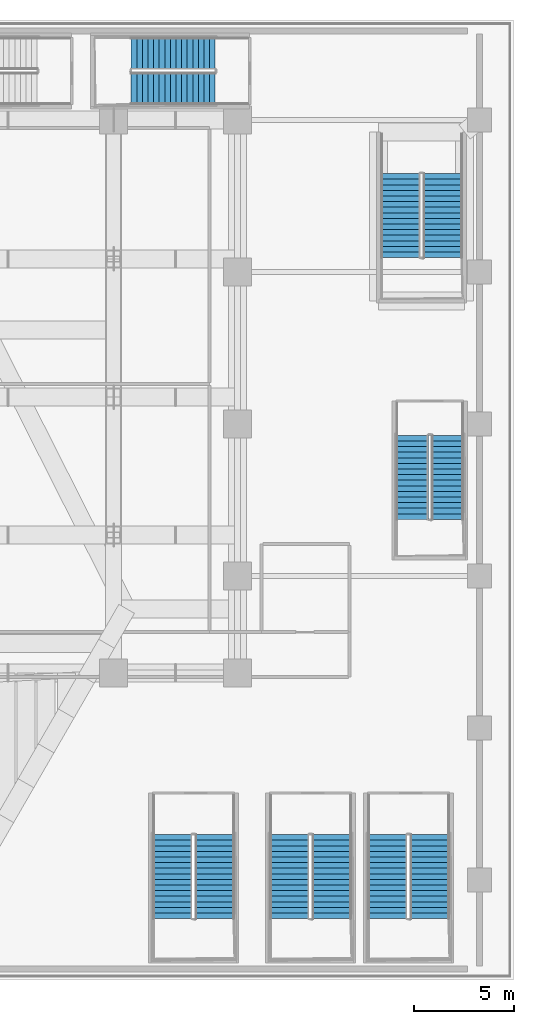
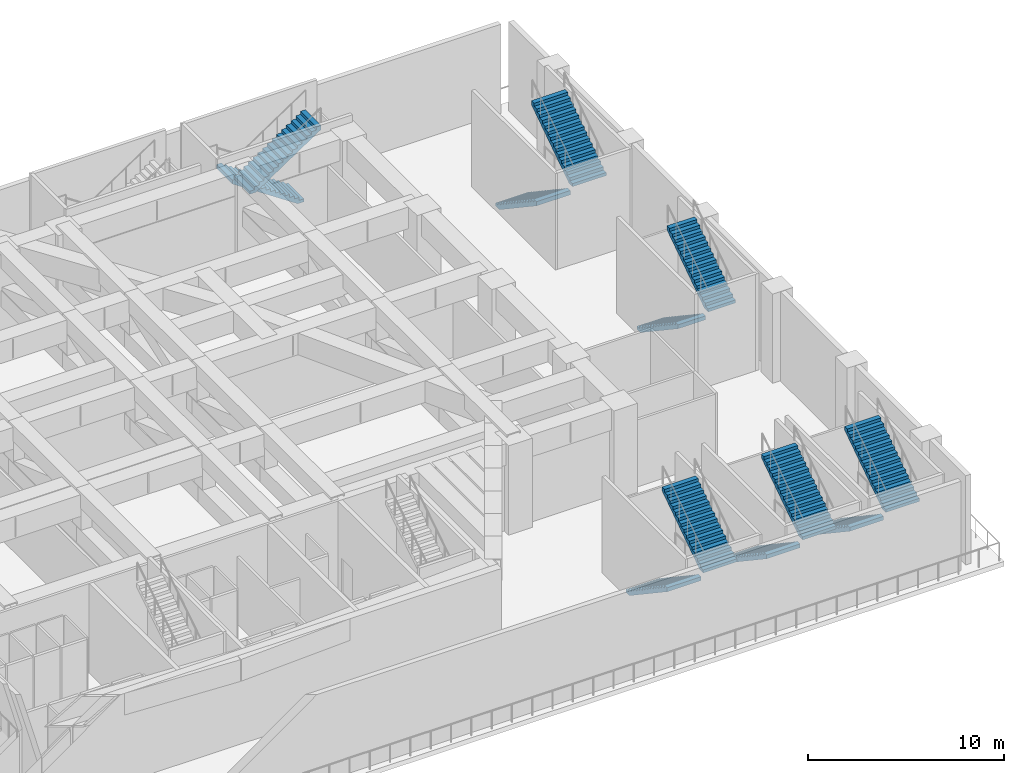
# One storey, part 14 of 27: 12 stair flights, 6 elements without a shape of their own.
"""IFC4 building model written with IfcOpenShell, lengths in metres."""

from ifc_helpers import new_model, si_unit, direction, frame, origin, place, context, subcontext, project, spatial, polyline, outline, extrude, material, type_object, element, aggregate, save


model = new_model("IFC4")

# Units and contexts
model_context = context("Model", 3, precision=1e-05, world=origin(), true_north=direction((0.0, 1.0)))
body_context = subcontext(model_context, "Body", "Model", "MODEL_VIEW")
ifc_project = project(units=[si_unit("LENGTHUNIT", "METRE"), si_unit("AREAUNIT", "SQUARE_METRE"), si_unit("VOLUMEUNIT", "CUBIC_METRE"), si_unit("PLANEANGLEUNIT", "RADIAN"), si_unit("MASSUNIT", "GRAM", prefix="KILO")], contexts=[model_context])

# Site, building, storey
site_placement = place(None, origin())
site = spatial("IfcSite", under=ifc_project, at=site_placement, CompositionType="ELEMENT")
building_placement = place(site_placement, origin())
building = spatial("IfcBuilding", under=site, at=building_placement, Name="Ndaravel Arena Tower", CompositionType="ELEMENT")
storey_placement = place(building_placement, frame((0.0, 0.0, 24.0)))
storey = spatial("IfcBuildingStorey", under=building, at=storey_placement, Name="L04", CompositionType="ELEMENT", Elevation=24.0)

# Stair, stair flights
ifc_material_1 = material(Name="Concrete C40/50", Category="concrete")
stair_type_1 = type_object("IfcStairType", Name="STAIR-ARENA-HT", PredefinedType="HALF_TURN_STAIR", material=ifc_material_1)
stair_1_placement = place(storey_placement, origin())
stair_1 = element("IfcStair", 1, at=stair_1_placement, inside=storey, type_object=stair_type_1, Name="L04 ST-A04", PredefinedType="HALF_TURN_STAIR")
ifc_material_2 = material(Name="Concrete C40/50", Category="concrete")
stair_flight_type_1 = type_object("IfcStairFlightType", Name="SFLIGHT-ARENA-1980", PredefinedType="STRAIGHT", material=ifc_material_2)
stair_flight_1_placement = place(storey_placement, frame((66.93994140625, 7.27001953125, 0.0), z_axis=(0.0, 0.0, 1.0), x_axis=(0.0, -1.0, 0.0)))
stair_flight_1 = element("IfcStairFlight", 2, at=stair_flight_1_placement, type_object=stair_flight_type_1, Name="ST-A04 flight 1", NumberOfRisers=16, NumberOfTreads=15, PredefinedType="STRAIGHT", RiserHeight=0.1875, TreadLength=0.28, context=body_context, shape_type="SweptSolid", body=[
    extrude(outline(polyline([(0.0, 0.0), (0.0, 0.1875), (0.280029296875, 0.1875), (0.280029296875, 0.375), (0.56005859375, 0.375), (0.56005859375, 0.5625), (0.840087890625, 0.5625), (0.840087890625, 0.75), (1.1201171875, 0.75), (1.1201171875, 0.9375), (1.39990234375, 0.9375), (1.39990234375, 1.125), (1.679931640625, 1.125), (1.679931640625, 1.3125), (1.9599609375, 1.3125), (1.9599609375, 1.5), (2.239990234375, 1.5), (2.239990234375, 1.6875), (2.52001953125, 1.6875), (2.52001953125, 1.875), (2.800048828125, 1.875), (2.800048828125, 2.0625), (3.080078125, 2.0625), (3.080078125, 2.25), (3.360107421875, 2.25), (3.360107421875, 2.4375), (3.639892578125, 2.4375), (3.639892578125, 2.625), (3.919921875, 2.625), (3.919921875, 2.8125), (4.199951171875, 2.8125), (4.199951171875, 3.0), (4.199951171875, 2.57177734375), (0.359375, 0.0), (0.0, 0.0)])), frame((0.0, 0.989990234375, 0.0), z_axis=(0.0, -1.0, 0.0), x_axis=(1.0, 0.0, 0.0)), (0.0, 0.0, 1.0), 1.97998046875),
])
stair_flight_2_placement = place(storey_placement, frame((69.06005859375, 3.070068359375, 3.0), z_axis=(0.0, 0.0, 1.0), x_axis=(0.0, 1.0, 0.0)))
stair_flight_2 = element("IfcStairFlight", 3, at=stair_flight_2_placement, type_object=stair_flight_type_1, Name="ST-A04 flight 2", NumberOfRisers=16, NumberOfTreads=15, PredefinedType="STRAIGHT", RiserHeight=0.1875, TreadLength=0.28, context=body_context, shape_type="SweptSolid", body=[
    extrude(outline(polyline([(0.0, 0.0), (0.0, 0.1875), (0.280029296875, 0.1875), (0.280029296875, 0.375), (0.56005859375, 0.375), (0.56005859375, 0.5625), (0.840087890625, 0.5625), (0.840087890625, 0.75), (1.1201171875, 0.75), (1.1201171875, 0.9375), (1.39990234375, 0.9375), (1.39990234375, 1.125), (1.679931640625, 1.125), (1.679931640625, 1.3125), (1.9599609375, 1.3125), (1.9599609375, 1.5), (2.239990234375, 1.5), (2.239990234375, 1.6875), (2.52001953125, 1.6875), (2.52001953125, 1.875), (2.800048828125, 1.875), (2.800048828125, 2.0625), (3.080078125, 2.0625), (3.080078125, 2.25), (3.360107421875, 2.25), (3.360107421875, 2.4375), (3.639892578125, 2.4375), (3.639892578125, 2.625), (3.919921875, 2.625), (3.919921875, 2.8125), (4.199951171875, 2.8125), (4.199951171875, 3.0), (4.199951171875, 2.57177734375), (0.359375, 0.0), (0.0, 0.0)])), frame((0.0, 0.989990234375, 0.0), z_axis=(0.0, -1.0, 0.0), x_axis=(1.0, 0.0, 0.0)), (0.0, 0.0, 1.0), 1.97998046875),
])
aggregate(stair_1, [stair_flight_1, stair_flight_2])

stair_2_placement = place(storey_placement, origin())
stair_2 = element("IfcStair", 4, at=stair_2_placement, inside=storey, type_object=stair_type_1, Name="L04 ST-A05", PredefinedType="HALF_TURN_STAIR")
stair_flight_3_placement = place(storey_placement, frame((72.7900390625, 7.27001953125, 0.0), z_axis=(0.0, 0.0, 1.0), x_axis=(0.0, -1.0, 0.0)))
stair_flight_3 = element("IfcStairFlight", 5, at=stair_flight_3_placement, type_object=stair_flight_type_1, Name="ST-A05 flight 1", NumberOfRisers=16, NumberOfTreads=15, PredefinedType="STRAIGHT", RiserHeight=0.1875, TreadLength=0.28, context=body_context, shape_type="SweptSolid", body=[
    extrude(outline(polyline([(0.0, 0.0), (0.0, 0.1875), (0.280029296875, 0.1875), (0.280029296875, 0.375), (0.56005859375, 0.375), (0.56005859375, 0.5625), (0.840087890625, 0.5625), (0.840087890625, 0.75), (1.1201171875, 0.75), (1.1201171875, 0.9375), (1.39990234375, 0.9375), (1.39990234375, 1.125), (1.679931640625, 1.125), (1.679931640625, 1.3125), (1.9599609375, 1.3125), (1.9599609375, 1.5), (2.239990234375, 1.5), (2.239990234375, 1.6875), (2.52001953125, 1.6875), (2.52001953125, 1.875), (2.800048828125, 1.875), (2.800048828125, 2.0625), (3.080078125, 2.0625), (3.080078125, 2.25), (3.360107421875, 2.25), (3.360107421875, 2.4375), (3.639892578125, 2.4375), (3.639892578125, 2.625), (3.919921875, 2.625), (3.919921875, 2.8125), (4.199951171875, 2.8125), (4.199951171875, 3.0), (4.199951171875, 2.57177734375), (0.359375, 0.0), (0.0, 0.0)])), frame((0.0, 0.989990234375, 0.0), z_axis=(0.0, -1.0, 0.0), x_axis=(1.0, 0.0, 0.0)), (0.0, 0.0, 1.0), 1.97998046875),
])
stair_flight_4_placement = place(storey_placement, frame((74.909912109375, 3.070068359375, 3.0), z_axis=(0.0, 0.0, 1.0), x_axis=(0.0, 1.0, 0.0)))
stair_flight_4 = element("IfcStairFlight", 6, at=stair_flight_4_placement, type_object=stair_flight_type_1, Name="ST-A05 flight 2", NumberOfRisers=16, NumberOfTreads=15, PredefinedType="STRAIGHT", RiserHeight=0.1875, TreadLength=0.28, context=body_context, shape_type="SweptSolid", body=[
    extrude(outline(polyline([(0.0, 0.0), (0.0, 0.1875), (0.280029296875, 0.1875), (0.280029296875, 0.375), (0.56005859375, 0.375), (0.56005859375, 0.5625), (0.840087890625, 0.5625), (0.840087890625, 0.75), (1.1201171875, 0.75), (1.1201171875, 0.9375), (1.39990234375, 0.9375), (1.39990234375, 1.125), (1.679931640625, 1.125), (1.679931640625, 1.3125), (1.9599609375, 1.3125), (1.9599609375, 1.5), (2.239990234375, 1.5), (2.239990234375, 1.6875), (2.52001953125, 1.6875), (2.52001953125, 1.875), (2.800048828125, 1.875), (2.800048828125, 2.0625), (3.080078125, 2.0625), (3.080078125, 2.25), (3.360107421875, 2.25), (3.360107421875, 2.4375), (3.639892578125, 2.4375), (3.639892578125, 2.625), (3.919921875, 2.625), (3.919921875, 2.8125), (4.199951171875, 2.8125), (4.199951171875, 3.0), (4.199951171875, 2.57177734375), (0.359375, 0.0), (0.0, 0.0)])), frame((0.0, 0.989990234375, 0.0), z_axis=(0.0, -1.0, 0.0), x_axis=(1.0, 0.0, 0.0)), (0.0, 0.0, 1.0), 1.97998046875),
])
aggregate(stair_2, [stair_flight_3, stair_flight_4])

stair_3_placement = place(storey_placement, origin())
stair_3 = element("IfcStair", 7, at=stair_3_placement, inside=storey, type_object=stair_type_1, Name="L04 ST-A06", PredefinedType="HALF_TURN_STAIR")
stair_flight_5_placement = place(storey_placement, frame((77.68994140625, 7.27001953125, 0.0), z_axis=(0.0, 0.0, 1.0), x_axis=(0.0, -1.0, 0.0)))
stair_flight_5 = element("IfcStairFlight", 8, at=stair_flight_5_placement, type_object=stair_flight_type_1, Name="ST-A06 flight 1", NumberOfRisers=16, NumberOfTreads=15, PredefinedType="STRAIGHT", RiserHeight=0.1875, TreadLength=0.28, context=body_context, shape_type="SweptSolid", body=[
    extrude(outline(polyline([(0.0, 0.0), (0.0, 0.1875), (0.280029296875, 0.1875), (0.280029296875, 0.375), (0.56005859375, 0.375), (0.56005859375, 0.5625), (0.840087890625, 0.5625), (0.840087890625, 0.75), (1.1201171875, 0.75), (1.1201171875, 0.9375), (1.39990234375, 0.9375), (1.39990234375, 1.125), (1.679931640625, 1.125), (1.679931640625, 1.3125), (1.9599609375, 1.3125), (1.9599609375, 1.5), (2.239990234375, 1.5), (2.239990234375, 1.6875), (2.52001953125, 1.6875), (2.52001953125, 1.875), (2.800048828125, 1.875), (2.800048828125, 2.0625), (3.080078125, 2.0625), (3.080078125, 2.25), (3.360107421875, 2.25), (3.360107421875, 2.4375), (3.639892578125, 2.4375), (3.639892578125, 2.625), (3.919921875, 2.625), (3.919921875, 2.8125), (4.199951171875, 2.8125), (4.199951171875, 3.0), (4.199951171875, 2.57177734375), (0.359375, 0.0), (0.0, 0.0)])), frame((0.0, 0.989990234375, 0.0), z_axis=(0.0, -1.0, 0.0), x_axis=(1.0, 0.0, 0.0)), (0.0, 0.0, 1.0), 1.97998046875),
])
stair_flight_6_placement = place(storey_placement, frame((79.81005859375, 3.070068359375, 3.0), z_axis=(0.0, 0.0, 1.0), x_axis=(0.0, 1.0, 0.0)))
stair_flight_6 = element("IfcStairFlight", 9, at=stair_flight_6_placement, type_object=stair_flight_type_1, Name="ST-A06 flight 2", NumberOfRisers=16, NumberOfTreads=15, PredefinedType="STRAIGHT", RiserHeight=0.1875, TreadLength=0.28, context=body_context, shape_type="SweptSolid", body=[
    extrude(outline(polyline([(0.0, 0.0), (0.0, 0.1875), (0.280029296875, 0.1875), (0.280029296875, 0.375), (0.56005859375, 0.375), (0.56005859375, 0.5625), (0.840087890625, 0.5625), (0.840087890625, 0.75), (1.1201171875, 0.75), (1.1201171875, 0.9375), (1.39990234375, 0.9375), (1.39990234375, 1.125), (1.679931640625, 1.125), (1.679931640625, 1.3125), (1.9599609375, 1.3125), (1.9599609375, 1.5), (2.239990234375, 1.5), (2.239990234375, 1.6875), (2.52001953125, 1.6875), (2.52001953125, 1.875), (2.800048828125, 1.875), (2.800048828125, 2.0625), (3.080078125, 2.0625), (3.080078125, 2.25), (3.360107421875, 2.25), (3.360107421875, 2.4375), (3.639892578125, 2.4375), (3.639892578125, 2.625), (3.919921875, 2.625), (3.919921875, 2.8125), (4.199951171875, 2.8125), (4.199951171875, 3.0), (4.199951171875, 2.57177734375), (0.359375, 0.0), (0.0, 0.0)])), frame((0.0, 0.989990234375, 0.0), z_axis=(0.0, -1.0, 0.0), x_axis=(1.0, 0.0, 0.0)), (0.0, 0.0, 1.0), 1.97998046875),
])
aggregate(stair_3, [stair_flight_5, stair_flight_6])

ifc_material_3 = material(Name="Concrete C40/50", Category="concrete")
stair_type_2 = type_object("IfcStairType", Name="STAIR-POD-QT", PredefinedType="QUARTER_TURN_STAIR", material=ifc_material_3)
stair_4_placement = place(storey_placement, origin())
stair_4 = element("IfcStair", 10, at=stair_4_placement, inside=storey, type_object=stair_type_2, Name="L04 ST-A11", PredefinedType="QUARTER_TURN_STAIR")
stair_flight_7_placement = place(storey_placement, frame((69.080078125, 46.330078125, 0.0), z_axis=(0.0, 0.0, 1.0), x_axis=(-1.0, 0.0, 0.0)))
stair_flight_7 = element("IfcStairFlight", 11, at=stair_flight_7_placement, type_object=stair_flight_type_1, Name="ST-A11 flight 1", NumberOfRisers=16, NumberOfTreads=15, PredefinedType="STRAIGHT", RiserHeight=0.1875, TreadLength=0.28, context=body_context, shape_type="SweptSolid", body=[
    extrude(outline(polyline([(0.0, 0.0), (0.0, 0.1875), (0.280029296875, 0.1875), (0.280029296875, 0.375), (0.56005859375, 0.375), (0.56005859375, 0.5625), (0.840087890625, 0.5625), (0.840087890625, 0.75), (1.1201171875, 0.75), (1.1201171875, 0.9375), (1.39990234375, 0.9375), (1.39990234375, 1.125), (1.679931640625, 1.125), (1.679931640625, 1.3125), (1.9599609375, 1.3125), (1.9599609375, 1.5), (2.239990234375, 1.5), (2.239990234375, 1.6875), (2.52001953125, 1.6875), (2.52001953125, 1.875), (2.800048828125, 1.875), (2.800048828125, 2.0625), (3.080078125, 2.0625), (3.080078125, 2.25), (3.360107421875, 2.25), (3.360107421875, 2.4375), (3.639892578125, 2.4375), (3.639892578125, 2.625), (3.919921875, 2.625), (3.919921875, 2.8125), (4.199951171875, 2.8125), (4.199951171875, 3.0), (4.199951171875, 2.57177734375), (0.359375, 0.0), (0.0, 0.0)])), frame((0.0, 0.81005859375, 0.0), z_axis=(0.0, -1.0, 0.0), x_axis=(1.0, 0.0, 0.0)), (0.0, 0.0, 1.0), 1.6201171875),
])
stair_flight_8_placement = place(storey_placement, frame((64.8798828125, 44.570068359375, 3.0), z_axis=(0.0, 0.0, 1.0), x_axis=(1.0, 0.0, 0.0)))
stair_flight_8 = element("IfcStairFlight", 12, at=stair_flight_8_placement, type_object=stair_flight_type_1, Name="ST-A11 flight 2", NumberOfRisers=16, NumberOfTreads=15, PredefinedType="STRAIGHT", RiserHeight=0.1875, TreadLength=0.28, context=body_context, shape_type="SweptSolid", body=[
    extrude(outline(polyline([(0.0, 0.0), (0.0, 0.1875), (0.280029296875, 0.1875), (0.280029296875, 0.375), (0.56005859375, 0.375), (0.56005859375, 0.5625), (0.840087890625, 0.5625), (0.840087890625, 0.75), (1.1201171875, 0.75), (1.1201171875, 0.9375), (1.39990234375, 0.9375), (1.39990234375, 1.125), (1.679931640625, 1.125), (1.679931640625, 1.3125), (1.9599609375, 1.3125), (1.9599609375, 1.5), (2.239990234375, 1.5), (2.239990234375, 1.6875), (2.52001953125, 1.6875), (2.52001953125, 1.875), (2.800048828125, 1.875), (2.800048828125, 2.0625), (3.080078125, 2.0625), (3.080078125, 2.25), (3.360107421875, 2.25), (3.360107421875, 2.4375), (3.639892578125, 2.4375), (3.639892578125, 2.625), (3.919921875, 2.625), (3.919921875, 2.8125), (4.199951171875, 2.8125), (4.199951171875, 3.0), (4.199951171875, 2.57177734375), (0.359375, 0.0), (0.0, 0.0)])), frame((0.0, 0.81005859375, 0.0), z_axis=(0.0, -1.0, 0.0), x_axis=(1.0, 0.0, 0.0)), (0.0, 0.0, 1.0), 1.6201171875),
])
aggregate(stair_4, [stair_flight_7, stair_flight_8])

stair_5_placement = place(storey_placement, origin())
stair_5 = element("IfcStair", 13, at=stair_5_placement, inside=storey, type_object=stair_type_2, Name="L04 ST-A12", PredefinedType="QUARTER_TURN_STAIR")
stair_flight_9_placement = place(storey_placement, frame((78.929931640625, 27.22998046875, 0.0), z_axis=(0.0, 0.0, 1.0), x_axis=(0.0, -1.0, 0.0)))
stair_flight_9 = element("IfcStairFlight", 14, at=stair_flight_9_placement, type_object=stair_flight_type_1, Name="ST-A12 flight 1", NumberOfRisers=16, NumberOfTreads=15, PredefinedType="STRAIGHT", RiserHeight=0.1875, TreadLength=0.28, context=body_context, shape_type="SweptSolid", body=[
    extrude(outline(polyline([(0.0, 0.0), (0.0, 0.1875), (0.280029296875, 0.1875), (0.280029296875, 0.375), (0.56005859375, 0.375), (0.56005859375, 0.5625), (0.840087890625, 0.5625), (0.840087890625, 0.75), (1.1201171875, 0.75), (1.1201171875, 0.9375), (1.39990234375, 0.9375), (1.39990234375, 1.125), (1.679931640625, 1.125), (1.679931640625, 1.3125), (1.9599609375, 1.3125), (1.9599609375, 1.5), (2.239990234375, 1.5), (2.239990234375, 1.6875), (2.52001953125, 1.6875), (2.52001953125, 1.875), (2.800048828125, 1.875), (2.800048828125, 2.0625), (3.080078125, 2.0625), (3.080078125, 2.25), (3.360107421875, 2.25), (3.360107421875, 2.4375), (3.639892578125, 2.4375), (3.639892578125, 2.625), (3.919921875, 2.625), (3.919921875, 2.8125), (4.199951171875, 2.8125), (4.199951171875, 3.0), (4.199951171875, 2.57177734375), (0.359375, 0.0), (0.0, 0.0)])), frame((0.0, 0.81005859375, 0.0), z_axis=(0.0, -1.0, 0.0), x_axis=(1.0, 0.0, 0.0)), (0.0, 0.0, 1.0), 1.6201171875),
])
stair_flight_10_placement = place(storey_placement, frame((80.68994140625, 23.030029296875, 3.0), z_axis=(0.0, 0.0, 1.0), x_axis=(0.0, 1.0, 0.0)))
stair_flight_10 = element("IfcStairFlight", 15, at=stair_flight_10_placement, type_object=stair_flight_type_1, Name="ST-A12 flight 2", NumberOfRisers=16, NumberOfTreads=15, PredefinedType="STRAIGHT", RiserHeight=0.1875, TreadLength=0.28, context=body_context, shape_type="SweptSolid", body=[
    extrude(outline(polyline([(0.0, 0.0), (0.0, 0.1875), (0.280029296875, 0.1875), (0.280029296875, 0.375), (0.56005859375, 0.375), (0.56005859375, 0.5625), (0.840087890625, 0.5625), (0.840087890625, 0.75), (1.1201171875, 0.75), (1.1201171875, 0.9375), (1.39990234375, 0.9375), (1.39990234375, 1.125), (1.679931640625, 1.125), (1.679931640625, 1.3125), (1.9599609375, 1.3125), (1.9599609375, 1.5), (2.239990234375, 1.5), (2.239990234375, 1.6875), (2.52001953125, 1.6875), (2.52001953125, 1.875), (2.800048828125, 1.875), (2.800048828125, 2.0625), (3.080078125, 2.0625), (3.080078125, 2.25), (3.360107421875, 2.25), (3.360107421875, 2.4375), (3.639892578125, 2.4375), (3.639892578125, 2.625), (3.919921875, 2.625), (3.919921875, 2.8125), (4.199951171875, 2.8125), (4.199951171875, 3.0), (4.199951171875, 2.57177734375), (0.359375, 0.0), (0.0, 0.0)])), frame((0.0, 0.81005859375, 0.0), z_axis=(0.0, -1.0, 0.0), x_axis=(1.0, 0.0, 0.0)), (0.0, 0.0, 1.0), 1.6201171875),
])
aggregate(stair_5, [stair_flight_9, stair_flight_10])

ifc_material_4 = material(Name="Concrete C40/50", Category="concrete")
stair_type_3 = type_object("IfcStairType", Name="STAIR-FEAT-TSR", PredefinedType="TWO_STRAIGHT_RUN_STAIR", material=ifc_material_4)
stair_6_placement = place(storey_placement, origin())
stair_6 = element("IfcStair", 16, at=stair_6_placement, inside=storey, type_object=stair_type_3, Name="L04 ST-GDN-2", PredefinedType="TWO_STRAIGHT_RUN_STAIR")
ifc_material_5 = material(Name="Concrete C40/50", Category="concrete")
stair_flight_type_2 = type_object("IfcStairFlightType", Name="SFLIGHT-FEAT-2100", PredefinedType="STRAIGHT", material=ifc_material_5)
stair_flight_11_placement = place(storey_placement, frame((78.340087890625, 40.320068359375, 0.0), z_axis=(0.0, 0.0, 1.0), x_axis=(0.0, -1.0, 0.0)))
stair_flight_11 = element("IfcStairFlight", 17, at=stair_flight_11_placement, type_object=stair_flight_type_2, Name="ST-GDN-2 flight 1", NumberOfRisers=16, NumberOfTreads=15, PredefinedType="STRAIGHT", RiserHeight=0.1875, TreadLength=0.28, context=body_context, shape_type="SweptSolid", body=[
    extrude(outline(polyline([(0.0, 0.0), (0.0, 0.1875), (0.280029296875, 0.1875), (0.280029296875, 0.375), (0.56005859375, 0.375), (0.56005859375, 0.5625), (0.840087890625, 0.5625), (0.840087890625, 0.75), (1.1201171875, 0.75), (1.1201171875, 0.9375), (1.39990234375, 0.9375), (1.39990234375, 1.125), (1.679931640625, 1.125), (1.679931640625, 1.3125), (1.9599609375, 1.3125), (1.9599609375, 1.5), (2.239990234375, 1.5), (2.239990234375, 1.6875), (2.52001953125, 1.6875), (2.52001953125, 1.875), (2.800048828125, 1.875), (2.800048828125, 2.0625), (3.080078125, 2.0625), (3.080078125, 2.25), (3.360107421875, 2.25), (3.360107421875, 2.4375), (3.639892578125, 2.4375), (3.639892578125, 2.625), (3.919921875, 2.625), (3.919921875, 2.8125), (4.199951171875, 2.8125), (4.199951171875, 3.0), (4.199951171875, 2.5478515625), (0.395263671875, 0.0), (0.0, 0.0)])), frame((0.0, 0.989990234375, 0.0), z_axis=(0.0, -1.0, 0.0), x_axis=(1.0, 0.0, 0.0)), (0.0, 0.0, 1.0), 1.97998046875),
])
stair_flight_12_placement = place(storey_placement, frame((80.4599609375, 36.1201171875, 3.0), z_axis=(0.0, 0.0, 1.0), x_axis=(0.0, 1.0, 0.0)))
stair_flight_12 = element("IfcStairFlight", 18, at=stair_flight_12_placement, type_object=stair_flight_type_2, Name="ST-GDN-2 flight 2", NumberOfRisers=16, NumberOfTreads=15, PredefinedType="STRAIGHT", RiserHeight=0.1875, TreadLength=0.28, context=body_context, shape_type="SweptSolid", body=[
    extrude(outline(polyline([(0.0, 0.0), (0.0, 0.1875), (0.280029296875, 0.1875), (0.280029296875, 0.375), (0.56005859375, 0.375), (0.56005859375, 0.5625), (0.840087890625, 0.5625), (0.840087890625, 0.75), (1.1201171875, 0.75), (1.1201171875, 0.9375), (1.39990234375, 0.9375), (1.39990234375, 1.125), (1.679931640625, 1.125), (1.679931640625, 1.3125), (1.9599609375, 1.3125), (1.9599609375, 1.5), (2.239990234375, 1.5), (2.239990234375, 1.6875), (2.52001953125, 1.6875), (2.52001953125, 1.875), (2.800048828125, 1.875), (2.800048828125, 2.0625), (3.080078125, 2.0625), (3.080078125, 2.25), (3.360107421875, 2.25), (3.360107421875, 2.4375), (3.639892578125, 2.4375), (3.639892578125, 2.625), (3.919921875, 2.625), (3.919921875, 2.8125), (4.199951171875, 2.8125), (4.199951171875, 3.0), (4.199951171875, 2.5478515625), (0.395263671875, 0.0), (0.0, 0.0)])), frame((0.0, 0.989990234375, 0.0), z_axis=(0.0, -1.0, 0.0), x_axis=(1.0, 0.0, 0.0)), (0.0, 0.0, 1.0), 1.97998046875),
])
aggregate(stair_6, [stair_flight_11, stair_flight_12])

save(model, "model.ifc")
